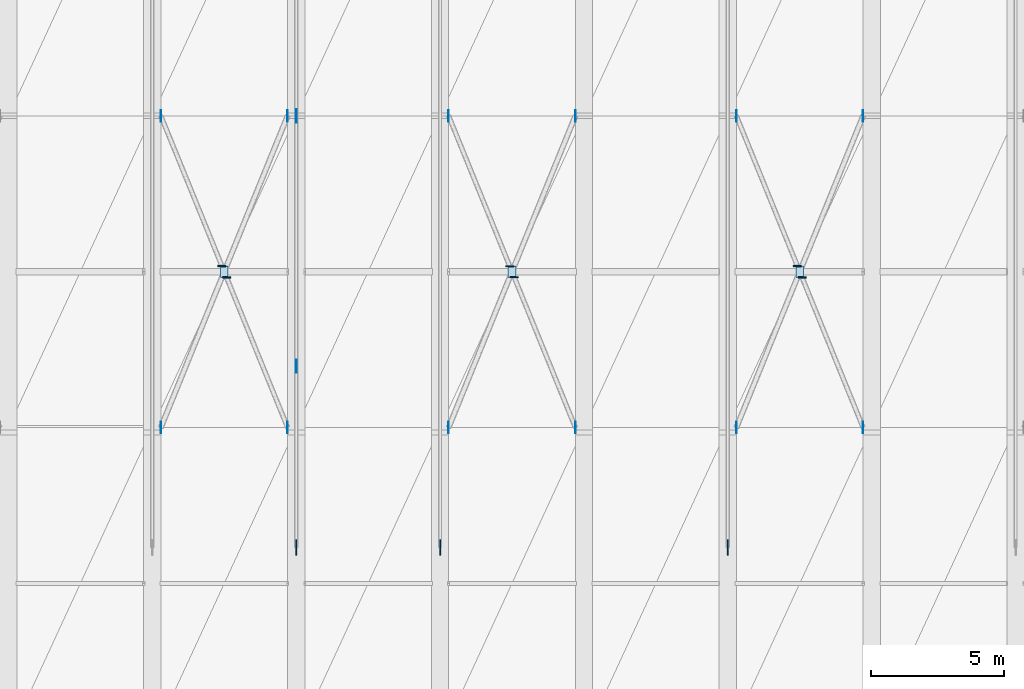
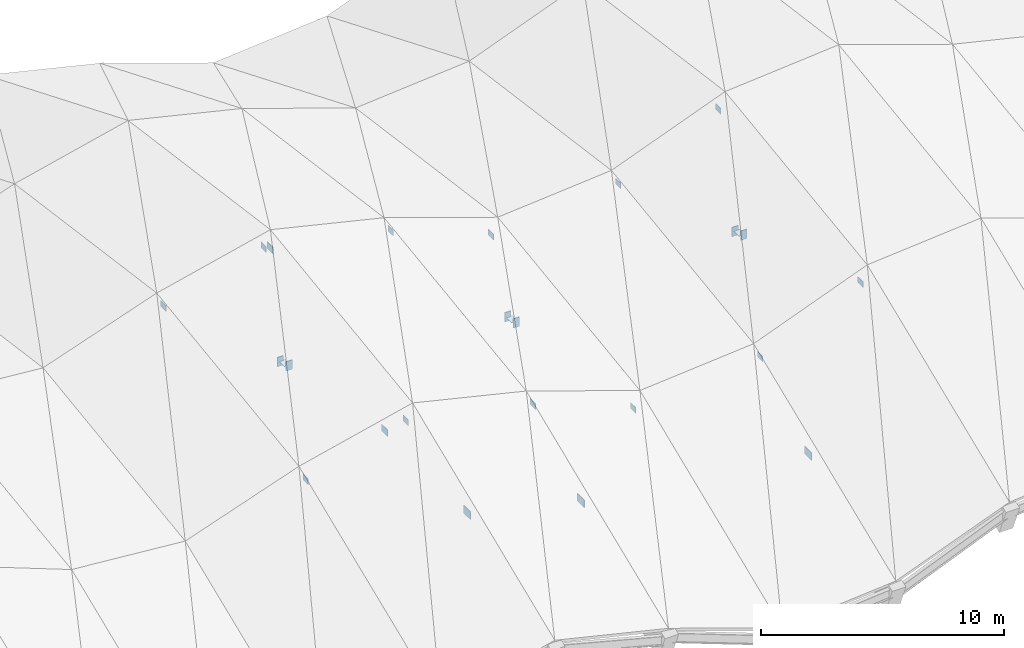
# One storey, part 10 of 22: 26 plates.
"""IFC4 building model written with IfcOpenShell, lengths in metres."""

from ifc_helpers import new_model, si_unit, direction, frame, origin, origin_2d, place, context, subcontext, project, spatial, rectangle, extrude, material, layer, layer_set, type_object, element, save


model = new_model("IFC4")

# Units and contexts
model_context = context("Model", 3, precision=1e-05, world=origin(), true_north=direction((0.0, 1.0)))
body_context = subcontext(model_context, "Body", "Model", "MODEL_VIEW")
ifc_project = project(units=[si_unit("LENGTHUNIT", "METRE"), si_unit("AREAUNIT", "SQUARE_METRE"), si_unit("VOLUMEUNIT", "CUBIC_METRE"), si_unit("PLANEANGLEUNIT", "RADIAN"), si_unit("MASSUNIT", "GRAM", prefix="KILO")], contexts=[model_context])

# Site, building, storey
site_placement = place(None, origin())
site = spatial("IfcSite", under=ifc_project, at=site_placement, CompositionType="ELEMENT")
building_placement = place(site_placement, origin())
building = spatial("IfcBuilding", under=site, at=building_placement, Name="Lusvemor Sports Hall", CompositionType="ELEMENT")
storey_placement = place(building_placement, frame((0.0, 0.0, 23.39990234375)))
storey = spatial("IfcBuildingStorey", under=building, at=storey_placement, Name="Roof", CompositionType="ELEMENT", Elevation=23.39990234375)

# Plates
ifc_material_1 = material(Name="Steel S355", Category="steel")
ifc_layer_1 = layer(ifc_material_1, 0.0400390625)
ifc_layer_set_1 = layer_set([ifc_layer_1], Name="Steel S355")
plate_type_1 = type_object("IfcPlateType", Name="GUSSET_ARCH_A", PredefinedType="USERDEFINED", material=ifc_layer_set_1)
for number, where, z_axis, x_axis, name in (
    (1, (37.800048828125, 7.199951171875, -5.777099609375), (0.0, 0.0, 1.0), (1.0, 0.0, 0.0), "Arch Springing Gusset S07-S"),
    (2, (43.199951171875, 7.199951171875, -7.06787109375), (0.0, 0.0, 1.0), (1.0, 0.0, 0.0), "Arch Springing Gusset S08-S"),
    (3, (54.0, 7.199951171875, -8.47216796875), (0.0, 0.0, 1.0), (1.0, 0.0, 0.0), "Arch Springing Gusset S10-S"),
):
    element("IfcPlate", number, at=place(storey_placement, frame(where, z_axis=z_axis, x_axis=x_axis)), inside=storey, type_object=plate_type_1, Name=name, ObjectType="GUSSET_PLATE", PredefinedType="USERDEFINED", context=body_context, shape_type="SweptSolid", body=[
        extrude(rectangle(XDim=0.0400390625, YDim=0.580078125, at=origin_2d()), origin(), (0.0, 0.0, 1.0), 0.3798828125),
    ])
ifc_material_2 = material(Name="Steel S355", Category="steel")
ifc_layer_2 = layer(ifc_material_2, 0.030029296875)
ifc_layer_set_2 = layer_set([ifc_layer_2], Name="Steel S355")
plate_type_2 = type_object("IfcPlateType", Name="GUSSET_ARCH_B", PredefinedType="USERDEFINED", material=ifc_layer_set_2)
for number, where, z_axis, x_axis, name in (
    (4, (37.800048828125, 14.0, -5.752197265625), (0.0, 0.0, 1.0), (1.0, 0.0, 0.0), "Wave Arch Web Gusset S07-LF"),
    (5, (37.800048828125, 23.39990234375, -2.2900390625), (0.0, 0.0, 1.0), (1.0, 0.0, 0.0), "Wave Arch Web Gusset S07-CR"),
):
    element("IfcPlate", number, at=place(storey_placement, frame(where, z_axis=z_axis, x_axis=x_axis)), inside=storey, type_object=plate_type_2, Name=name, ObjectType="GUSSET_PLATE", PredefinedType="USERDEFINED", context=body_context, shape_type="SweptSolid", body=[
        extrude(rectangle(XDim=0.030029296875, YDim=0.5, at=origin_2d()), origin(), (0.0, 0.0, 1.0), 0.330078125),
    ])
ifc_material_3 = material(Name="Steel S355", Category="steel")
ifc_layer_3 = layer(ifc_material_3, 0.02001953125)
ifc_layer_set_3 = layer_set([ifc_layer_3], Name="Steel S355")
plate_type_3 = type_object("IfcPlateType", Name="GUSSET_BRACE_C", PredefinedType="USERDEFINED", material=ifc_layer_set_3)
plate_1_placement = place(storey_placement, frame((35.10009765625, 17.550048828125, -3.428955078125), z_axis=(0.0, 0.0, 1.0), x_axis=(1.0, 0.0, 0.0)))
element("IfcPlate", 6, at=plate_1_placement, inside=storey, type_object=plate_type_3, Name="Brace Node Gusset V1-07", ObjectType="GUSSET_PLATE", PredefinedType="USERDEFINED", context=body_context, shape_type="SweptSolid", body=[
    extrude(rectangle(XDim=0.2900390625, YDim=0.43994140625, at=origin_2d()), origin(), (0.0, 0.0, 1.0), 0.02001953125),
])
for number, where, z_axis, x_axis, name in (
    (7, (32.719970703125, 11.699951171875, -5.012939453125), (0.0, 0.0, 1.0), (1.0, 0.0, 0.0), "Wave Brace Rib Gusset V1-07-A0"),
    (8, (37.47998046875, 23.39990234375, -2.114990234375), (0.0, 0.0, 1.0), (1.0, 0.0, 0.0), "Wave Brace Rib Gusset V1-07-A1"),
    (9, (32.719970703125, 23.39990234375, -3.405517578125), (0.0, 0.0, 1.0), (1.0, 0.0, 0.0), "Wave Brace Rib Gusset V1-07-B0"),
    (10, (37.47998046875, 11.699951171875, -3.722412109375), (0.0, 0.0, 1.0), (1.0, 0.0, 0.0), "Wave Brace Rib Gusset V1-07-B1"),
):
    element("IfcPlate", number, at=place(storey_placement, frame(where, z_axis=z_axis, x_axis=x_axis)), inside=storey, type_object=plate_type_3, Name=name, ObjectType="GUSSET_PLATE", PredefinedType="USERDEFINED", context=body_context, shape_type="SweptSolid", body=[
        extrude(rectangle(XDim=0.02001953125, YDim=0.43994140625, at=origin_2d()), origin(), (0.0, 0.0, 1.0), 0.2900390625),
    ])
plate_2_placement = place(storey_placement, frame((45.89990234375, 17.550048828125, -5.0068359375), z_axis=(0.0, 0.0, 1.0), x_axis=(1.0, 0.0, 0.0)))
element("IfcPlate", 11, at=plate_2_placement, inside=storey, type_object=plate_type_3, Name="Brace Node Gusset V1-09", ObjectType="GUSSET_PLATE", PredefinedType="USERDEFINED", context=body_context, shape_type="SweptSolid", body=[
    extrude(rectangle(XDim=0.2900390625, YDim=0.43994140625, at=origin_2d()), origin(), (0.0, 0.0, 1.0), 0.02001953125),
])
for number, where, z_axis, x_axis, name in (
    (12, (43.52001953125, 11.699951171875, -5.012939453125), (0.0, 0.0, 1.0), (1.0, 0.0, 0.0), "Wave Brace Rib Gusset V1-09-A0"),
    (13, (48.280029296875, 23.39990234375, -5.2705078125), (0.0, 0.0, 1.0), (1.0, 0.0, 0.0), "Wave Brace Rib Gusset V1-09-A1"),
    (14, (43.52001953125, 23.39990234375, -3.405517578125), (0.0, 0.0, 1.0), (1.0, 0.0, 0.0), "Wave Brace Rib Gusset V1-09-B0"),
    (15, (48.280029296875, 11.699951171875, -6.8779296875), (0.0, 0.0, 1.0), (1.0, 0.0, 0.0), "Wave Brace Rib Gusset V1-09-B1"),
):
    element("IfcPlate", number, at=place(storey_placement, frame(where, z_axis=z_axis, x_axis=x_axis)), inside=storey, type_object=plate_type_3, Name=name, ObjectType="GUSSET_PLATE", PredefinedType="USERDEFINED", context=body_context, shape_type="SweptSolid", body=[
        extrude(rectangle(XDim=0.02001953125, YDim=0.43994140625, at=origin_2d()), origin(), (0.0, 0.0, 1.0), 0.2900390625),
    ])
plate_3_placement = place(storey_placement, frame((56.699951171875, 17.550048828125, -4.443603515625), z_axis=(0.0, 0.0, 1.0), x_axis=(1.0, 0.0, 0.0)))
element("IfcPlate", 16, at=plate_3_placement, inside=storey, type_object=plate_type_3, Name="Brace Node Gusset V1-11", ObjectType="GUSSET_PLATE", PredefinedType="USERDEFINED", context=body_context, shape_type="SweptSolid", body=[
    extrude(rectangle(XDim=0.2900390625, YDim=0.43994140625, at=origin_2d()), origin(), (0.0, 0.0, 1.0), 0.02001953125),
])
for number, where, z_axis, x_axis, name in (
    (17, (54.320068359375, 11.699951171875, -6.41748046875), (0.0, 0.0, 1.0), (1.0, 0.0, 0.0), "Wave Brace Rib Gusset V1-11-A0"),
    (18, (59.080078125, 23.39990234375, -2.739990234375), (0.0, 0.0, 1.0), (1.0, 0.0, 0.0), "Wave Brace Rib Gusset V1-11-A1"),
    (19, (54.320068359375, 23.39990234375, -4.809814453125), (0.0, 0.0, 1.0), (1.0, 0.0, 0.0), "Wave Brace Rib Gusset V1-11-B0"),
    (20, (59.080078125, 11.699951171875, -4.347412109375), (0.0, 0.0, 1.0), (1.0, 0.0, 0.0), "Wave Brace Rib Gusset V1-11-B1"),
):
    element("IfcPlate", number, at=place(storey_placement, frame(where, z_axis=z_axis, x_axis=x_axis)), inside=storey, type_object=plate_type_3, Name=name, ObjectType="GUSSET_PLATE", PredefinedType="USERDEFINED", context=body_context, shape_type="SweptSolid", body=[
        extrude(rectangle(XDim=0.02001953125, YDim=0.43994140625, at=origin_2d()), origin(), (0.0, 0.0, 1.0), 0.2900390625),
    ])
ifc_material_4 = material(Name="Steel S355", Category="steel")
ifc_layer_4 = layer(ifc_material_4, 0.050048828125)
ifc_layer_set_4 = layer_set([ifc_layer_4], Name="Steel S355")
plate_type_4 = type_object("IfcPlateType", Name="GUSSET_SAW_E", PredefinedType="USERDEFINED", material=ifc_layer_set_4)
for number, where, z_axis, x_axis, name in (
    (21, (35.013427734375, 17.762939453125, -3.64306640625), (0.0, 0.0, 1.0), (1.0, 0.0, 0.0), "X-Brace Splice End Gusset V1-07-1"),
    (22, (35.186767578125, 17.3369140625, -3.65478515625), (0.0, 0.0, 1.0), (1.0, 0.0, 0.0), "X-Brace Splice End Gusset V1-07-2"),
    (23, (45.81640625, 17.75537109375, -5.165771484375), (0.0, 0.0, 1.0), (1.0, 0.0, 0.0), "X-Brace Splice End Gusset V1-09-1"),
    (24, (45.983642578125, 17.344482421875, -5.28759765625), (0.0, 0.0, 1.0), (1.0, 0.0, 0.0), "X-Brace Splice End Gusset V1-09-2"),
    (25, (56.61328125, 17.762939453125, -4.672119140625), (0.0, 0.0, 1.0), (1.0, 0.0, 0.0), "X-Brace Splice End Gusset V1-11-1"),
    (26, (56.78662109375, 17.337158203125, -4.6552734375), (0.0, 0.0, 1.0), (1.0, 0.0, 0.0), "X-Brace Splice End Gusset V1-11-2"),
):
    element("IfcPlate", number, at=place(storey_placement, frame(where, z_axis=z_axis, x_axis=x_axis)), inside=storey, type_object=plate_type_4, Name=name, ObjectType="GUSSET_PLATE", PredefinedType="USERDEFINED", context=body_context, shape_type="SweptSolid", body=[
        extrude(rectangle(XDim=0.300048828125, YDim=0.050048828125, at=origin_2d()), origin(), (0.0, 0.0, 1.0), 0.4599609375),
    ])

save(model, "model.ifc")
